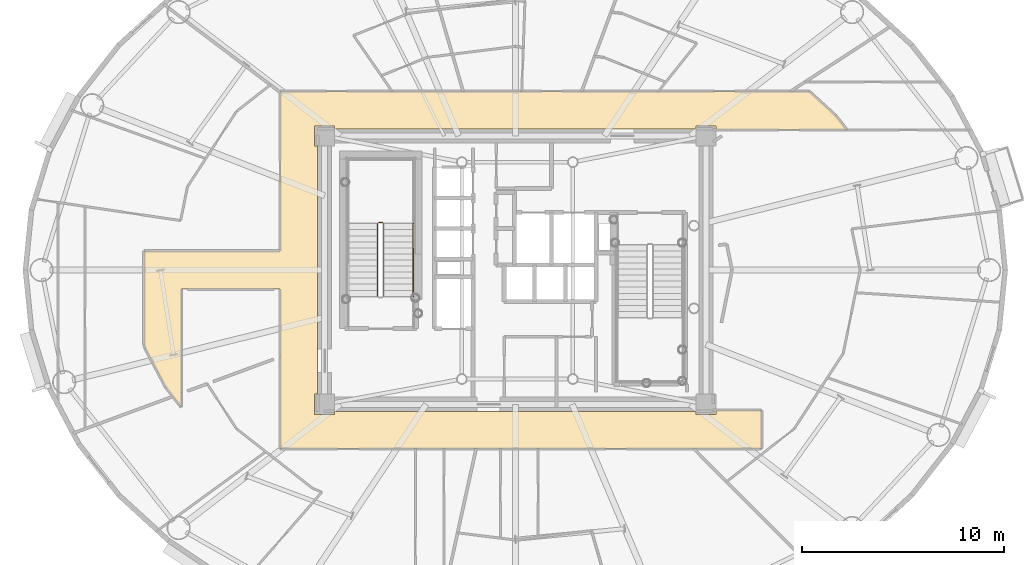
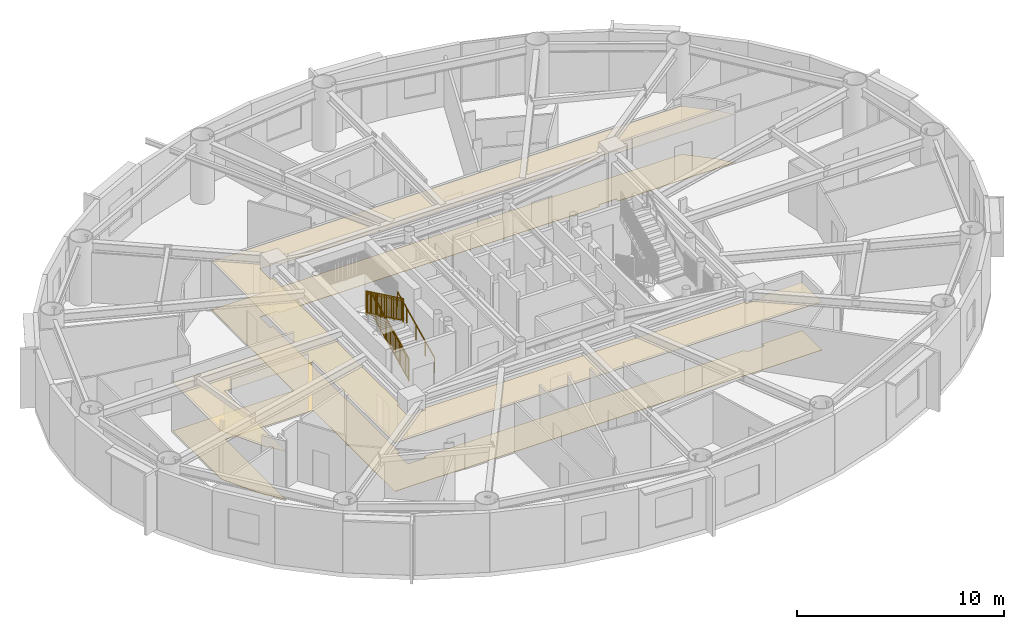
# One storey, part 17 of 22: 4 railings, 2 coverings.
"""IFC4 building model written with IfcOpenShell, lengths in metres."""

from ifc_helpers import new_model, si_unit, direction, frame, origin, origin_2d, place, context, subcontext, project, spatial, polyline, rectangle, outline, extrude, source, transform, mapped, material, layer, layer_set, type_object, element, save


model = new_model("IFC4")

# Units and contexts
model_context = context("Model", 3, precision=1e-05, world=origin(), true_north=direction((0.0, 1.0)))
body_context = subcontext(model_context, "Body", "Model", "MODEL_VIEW")
ifc_project = project(units=[si_unit("LENGTHUNIT", "METRE"), si_unit("AREAUNIT", "SQUARE_METRE"), si_unit("VOLUMEUNIT", "CUBIC_METRE"), si_unit("PLANEANGLEUNIT", "RADIAN"), si_unit("MASSUNIT", "GRAM", prefix="KILO")], contexts=[model_context])

# Site, building, storey
site_placement = place(None, origin())
site = spatial("IfcSite", under=ifc_project, at=site_placement, CompositionType="ELEMENT")
building_placement = place(site_placement, origin())
building = spatial("IfcBuilding", under=site, at=building_placement, Name="Linh Dai School and Residence Tower", CompositionType="ELEMENT")
storey_placement = place(building_placement, frame((0.0, 0.0, 214.050048828125)))
storey = spatial("IfcBuildingStorey", under=building, at=storey_placement, Name="L52", CompositionType="ELEMENT", Elevation=214.050048828125)

# Coverings
ifc_material_1 = material(Name="Mineral Fibre Acoustic Suspended Ceiling", Category="masonry")
ifc_layer_1 = layer(ifc_material_1, 0.02001953125)
ifc_layer_set_1 = layer_set([ifc_layer_1], Name="Mineral Fibre Acoustic Suspended Ceiling")
covering_type_1 = type_object("IfcCoveringType", Name="COV-CEIL-AC-20", PredefinedType="CEILING", material=ifc_layer_set_1)
covering_1_placement = place(storey_placement, frame((0.0, 0.0, 2.849853515625)))
element("IfcCovering", 1, at=covering_1_placement, inside=storey, type_object=covering_type_1, Name="L52 Residential Floor Corridor Suspended Ceiling", PredefinedType="CEILING", context=body_context, shape_type="SweptSolid", body=[
    extrude(outline(polyline([(19.449951171875, 20.211181640625), (18.6806640625, 21.1943359375), (17.66650390625, 23.111083984375), (17.60009765625, 23.327880859375), (17.60009765625, 27.949951171875), (24.35009765625, 27.949951171875), (24.35009765625, 35.85009765625), (50.56787109375, 35.85009765625), (51.873779296875, 34.65283203125), (52.423828125, 33.949951171875), (45.949951171875, 33.949951171875), (45.949951171875, 34.14990234375), (44.949951171875, 34.14990234375), (44.949951171875, 34.0), (27.050048828125, 34.0), (27.050048828125, 34.14990234375), (26.050048828125, 34.14990234375), (26.050048828125, 33.14990234375), (26.199951171875, 33.14990234375), (26.199951171875, 20.85009765625), (26.050048828125, 20.85009765625), (26.050048828125, 19.85009765625), (27.050048828125, 19.85009765625), (27.050048828125, 20.0), (44.949951171875, 20.0), (44.949951171875, 19.85009765625), (45.949951171875, 19.85009765625), (45.949951171875, 20.050048828125), (48.199951171875, 20.050048828125), (48.199951171875, 18.14990234375), (24.35009765625, 18.14990234375), (24.35009765625, 26.050048828125), (19.449951171875, 26.050048828125), (19.449951171875, 20.211181640625)])), origin(), (0.0, 0.0, 1.0), 0.02001953125),
])
ifc_material_2 = material(Name="Polished Terrazzo Floor Finish", Category="masonry")
ifc_layer_2 = layer(ifc_material_2, 0.02490234375)
ifc_layer_set_2 = layer_set([ifc_layer_2], Name="Polished Terrazzo Floor Finish")
covering_type_2 = type_object("IfcCoveringType", Name="COV-FLR-TRZ-25", PredefinedType="FLOORING", material=ifc_layer_set_2)
covering_2_placement = place(storey_placement, origin())
element("IfcCovering", 2, at=covering_2_placement, inside=storey, type_object=covering_type_2, Name="L52 Residential Floor Corridor Floor Finish", PredefinedType="FLOORING", context=body_context, shape_type="SweptSolid", body=[
    extrude(outline(polyline([(19.449951171875, 20.211181640625), (18.6806640625, 21.1943359375), (17.66650390625, 23.111083984375), (17.60009765625, 23.327880859375), (17.60009765625, 27.949951171875), (24.35009765625, 27.949951171875), (24.35009765625, 35.85009765625), (50.56787109375, 35.85009765625), (51.873779296875, 34.65283203125), (52.423828125, 33.949951171875), (45.949951171875, 33.949951171875), (45.949951171875, 34.14990234375), (44.949951171875, 34.14990234375), (44.949951171875, 34.0), (27.050048828125, 34.0), (27.050048828125, 34.14990234375), (26.050048828125, 34.14990234375), (26.050048828125, 33.14990234375), (26.199951171875, 33.14990234375), (26.199951171875, 20.85009765625), (26.050048828125, 20.85009765625), (26.050048828125, 19.85009765625), (27.050048828125, 19.85009765625), (27.050048828125, 20.0), (44.949951171875, 20.0), (44.949951171875, 19.85009765625), (45.949951171875, 19.85009765625), (45.949951171875, 20.050048828125), (48.199951171875, 20.050048828125), (48.199951171875, 18.14990234375), (24.35009765625, 18.14990234375), (24.35009765625, 26.050048828125), (19.449951171875, 26.050048828125), (19.449951171875, 20.211181640625)])), origin(), (0.0, 0.0, 1.0), 0.02001953125),
])

# Railings
ifc_material_3 = material(Name="Structural Steel S355JR", Category="steel")
railing_type_1 = type_object("IfcRailingType", Name="RL-ST-GUARD-1400", PredefinedType="GUARDRAIL", material=ifc_material_3)
shared_shape_1 = source(origin(), body_context, "Body", "SweptSolid", [
    extrude(rectangle(XDim=0.048095703125, YDim=0.048095703125, at=origin_2d()), frame((0.0, 0.0, 1.3759765625), z_axis=(-1.0, 0.0, 0.0), x_axis=(0.0, -1.0, 0.0)), (0.0, 0.0, 1.0), 0.199951171875),
    extrude(rectangle(XDim=0.048095703125, YDim=0.048095703125, at=origin_2d()), frame((0.0, 0.0, 0.10009765625), z_axis=(-1.0, 0.0, 0.0), x_axis=(0.0, -1.0, 0.0)), (0.0, 0.0, 1.0), 0.199951171875),
    extrude(rectangle(XDim=0.030029296875, YDim=0.030029296875, at=origin_2d()), frame((0.0, 0.0, 1.239990234375), z_axis=(-1.0, 0.0, 0.0), x_axis=(0.0, -1.0, 0.0)), (0.0, 0.0, 1.0), 0.199951171875),
    extrude(rectangle(XDim=0.0419921875, YDim=0.0419921875, at=origin_2d()), origin(), (0.0, 0.0, 1.0), 1.3759765625),
    extrude(rectangle(XDim=0.0419921875, YDim=0.0419921875, at=origin_2d()), frame((-0.199951171875, 0.0, 0.0)), (0.0, 0.0, 1.0), 1.3759765625),
])
railing_1_placement = place(storey_placement, frame((29.429931640625, 29.35009765625, 1.875)))
element("IfcRailing", 3, at=railing_1_placement, inside=storey, type_object=railing_type_1, Name="L52 ST1 stair guard 2", PredefinedType="GUARDRAIL", context=body_context, shape_type="MappedRepresentation", body=[
    mapped(shared_shape_1, transform((0.0, 0.0, 0.0), x_axis=(1.0, 0.0, 0.0), y_axis=(0.0, 1.0, 0.0), z_axis=(0.0, 0.0, 1.0), scale=1.0)),
])
shared_shape_2 = source(origin(), body_context, "Body", "SweptSolid", [
    extrude(rectangle(XDim=0.048095703125, YDim=0.048095703125, at=origin_2d()), frame((0.0, 0.0, 1.3759765625), z_axis=(0.0, 0.901262522062, 0.433273431364), x_axis=(-1.0, 0.0, 0.0)), (0.0, 0.0, 1.0), 3.994384765625),
    extrude(rectangle(XDim=0.048095703125, YDim=0.048095703125, at=origin_2d()), frame((0.0, 0.0, 0.10009765625), z_axis=(0.0, 0.901262522062, 0.433273431364), x_axis=(-1.0, 0.0, 0.0)), (0.0, 0.0, 1.0), 3.994384765625),
    extrude(rectangle(XDim=0.030029296875, YDim=0.030029296875, at=origin_2d()), frame((0.0, 0.0, 1.239990234375), z_axis=(0.0, 0.901262522062, 0.433273431364), x_axis=(-1.0, 0.0, 0.0)), (0.0, 0.0, 1.0), 3.994384765625),
    extrude(rectangle(XDim=0.02001953125, YDim=0.02001953125, at=origin_2d()), frame((0.0, 0.087890625, 0.142333984375)), (0.0, 0.0, 1.0), 1.251708984375),
    extrude(rectangle(XDim=0.02001953125, YDim=0.02001953125, at=origin_2d()), frame((0.0, 0.175537109375, 0.1845703125)), (0.0, 0.0, 1.0), 1.251708984375),
    extrude(rectangle(XDim=0.02001953125, YDim=0.02001953125, at=origin_2d()), frame((0.0, 0.263427734375, 0.226806640625)), (0.0, 0.0, 1.0), 1.251708984375),
    extrude(rectangle(XDim=0.02001953125, YDim=0.02001953125, at=origin_2d()), frame((0.0, 0.351318359375, 0.26904296875)), (0.0, 0.0, 1.0), 1.251708984375),
    extrude(rectangle(XDim=0.02001953125, YDim=0.02001953125, at=origin_2d()), frame((0.0, 0.43896484375, 0.311279296875)), (0.0, 0.0, 1.0), 1.251708984375),
    extrude(rectangle(XDim=0.02001953125, YDim=0.02001953125, at=origin_2d()), frame((0.0, 0.52685546875, 0.353271484375)), (0.0, 0.0, 1.0), 1.251708984375),
    extrude(rectangle(XDim=0.02001953125, YDim=0.02001953125, at=origin_2d()), frame((0.0, 0.61474609375, 0.3955078125)), (0.0, 0.0, 1.0), 1.251708984375),
    extrude(rectangle(XDim=0.02001953125, YDim=0.02001953125, at=origin_2d()), frame((0.0, 0.702392578125, 0.437744140625)), (0.0, 0.0, 1.0), 1.251708984375),
    extrude(rectangle(XDim=0.02001953125, YDim=0.02001953125, at=origin_2d()), frame((0.0, 0.790283203125, 0.47998046875)), (0.0, 0.0, 1.0), 1.251708984375),
    extrude(rectangle(XDim=0.02001953125, YDim=0.02001953125, at=origin_2d()), frame((0.0, 0.9658203125, 0.564453125)), (0.0, 0.0, 1.0), 1.251708984375),
    extrude(rectangle(XDim=0.02001953125, YDim=0.02001953125, at=origin_2d()), frame((0.0, 1.0537109375, 0.606689453125)), (0.0, 0.0, 1.0), 1.251708984375),
    extrude(rectangle(XDim=0.02001953125, YDim=0.02001953125, at=origin_2d()), frame((0.0, 1.1416015625, 0.64892578125)), (0.0, 0.0, 1.0), 1.251708984375),
    extrude(rectangle(XDim=0.02001953125, YDim=0.02001953125, at=origin_2d()), frame((0.0, 1.229248046875, 0.691162109375)), (0.0, 0.0, 1.0), 1.251708984375),
    extrude(rectangle(XDim=0.02001953125, YDim=0.02001953125, at=origin_2d()), frame((0.0, 1.317138671875, 0.7333984375)), (0.0, 0.0, 1.0), 1.251708984375),
    extrude(rectangle(XDim=0.02001953125, YDim=0.02001953125, at=origin_2d()), frame((0.0, 1.405029296875, 0.775390625)), (0.0, 0.0, 1.0), 1.251708984375),
    extrude(rectangle(XDim=0.02001953125, YDim=0.02001953125, at=origin_2d()), frame((0.0, 1.49267578125, 0.817626953125)), (0.0, 0.0, 1.0), 1.251708984375),
    extrude(rectangle(XDim=0.02001953125, YDim=0.02001953125, at=origin_2d()), frame((0.0, 1.58056640625, 0.85986328125)), (0.0, 0.0, 1.0), 1.251708984375),
    extrude(rectangle(XDim=0.02001953125, YDim=0.02001953125, at=origin_2d()), frame((0.0, 1.66845703125, 0.902099609375)), (0.0, 0.0, 1.0), 1.251708984375),
    extrude(rectangle(XDim=0.02001953125, YDim=0.02001953125, at=origin_2d()), frame((0.0, 1.756103515625, 0.9443359375)), (0.0, 0.0, 1.0), 1.251708984375),
    extrude(rectangle(XDim=0.02001953125, YDim=0.02001953125, at=origin_2d()), frame((0.0, 1.843994140625, 0.986572265625)), (0.0, 0.0, 1.0), 1.251708984375),
    extrude(rectangle(XDim=0.02001953125, YDim=0.02001953125, at=origin_2d()), frame((0.0, 1.931640625, 1.02880859375)), (0.0, 0.0, 1.0), 1.251708984375),
    extrude(rectangle(XDim=0.02001953125, YDim=0.02001953125, at=origin_2d()), frame((0.0, 2.01953125, 1.071044921875)), (0.0, 0.0, 1.0), 1.251708984375),
    extrude(rectangle(XDim=0.02001953125, YDim=0.02001953125, at=origin_2d()), frame((0.0, 2.107421875, 1.11328125)), (0.0, 0.0, 1.0), 1.251708984375),
    extrude(rectangle(XDim=0.02001953125, YDim=0.02001953125, at=origin_2d()), frame((0.0, 2.195068359375, 1.155517578125)), (0.0, 0.0, 1.0), 1.251708984375),
    extrude(rectangle(XDim=0.02001953125, YDim=0.02001953125, at=origin_2d()), frame((0.0, 2.282958984375, 1.197509765625)), (0.0, 0.0, 1.0), 1.251708984375),
    extrude(rectangle(XDim=0.02001953125, YDim=0.02001953125, at=origin_2d()), frame((0.0, 2.370849609375, 1.23974609375)), (0.0, 0.0, 1.0), 1.251708984375),
    extrude(rectangle(XDim=0.02001953125, YDim=0.02001953125, at=origin_2d()), frame((0.0, 2.45849609375, 1.281982421875)), (0.0, 0.0, 1.0), 1.251708984375),
    extrude(rectangle(XDim=0.02001953125, YDim=0.02001953125, at=origin_2d()), frame((0.0, 2.54638671875, 1.32421875)), (0.0, 0.0, 1.0), 1.251708984375),
    extrude(rectangle(XDim=0.02001953125, YDim=0.02001953125, at=origin_2d()), frame((0.0, 2.63427734375, 1.366455078125)), (0.0, 0.0, 1.0), 1.251708984375),
    extrude(rectangle(XDim=0.02001953125, YDim=0.02001953125, at=origin_2d()), frame((0.0, 2.809814453125, 1.450927734375)), (0.0, 0.0, 1.0), 1.251708984375),
    extrude(rectangle(XDim=0.02001953125, YDim=0.02001953125, at=origin_2d()), frame((0.0, 2.897705078125, 1.4931640625)), (0.0, 0.0, 1.0), 1.251708984375),
    extrude(rectangle(XDim=0.02001953125, YDim=0.02001953125, at=origin_2d()), frame((0.0, 2.9853515625, 1.535400390625)), (0.0, 0.0, 1.0), 1.251708984375),
    extrude(rectangle(XDim=0.02001953125, YDim=0.02001953125, at=origin_2d()), frame((0.0, 3.0732421875, 1.57763671875)), (0.0, 0.0, 1.0), 1.251708984375),
    extrude(rectangle(XDim=0.02001953125, YDim=0.02001953125, at=origin_2d()), frame((0.0, 3.1611328125, 1.61962890625)), (0.0, 0.0, 1.0), 1.251708984375),
    extrude(rectangle(XDim=0.02001953125, YDim=0.02001953125, at=origin_2d()), frame((0.0, 3.248779296875, 1.661865234375)), (0.0, 0.0, 1.0), 1.251708984375),
    extrude(rectangle(XDim=0.02001953125, YDim=0.02001953125, at=origin_2d()), frame((0.0, 3.336669921875, 1.7041015625)), (0.0, 0.0, 1.0), 1.251708984375),
    extrude(rectangle(XDim=0.02001953125, YDim=0.02001953125, at=origin_2d()), frame((0.0, 3.424560546875, 1.746337890625)), (0.0, 0.0, 1.0), 1.251708984375),
    extrude(rectangle(XDim=0.02001953125, YDim=0.02001953125, at=origin_2d()), frame((0.0, 3.51220703125, 1.78857421875)), (0.0, 0.0, 1.0), 1.251708984375),
    extrude(rectangle(XDim=0.0419921875, YDim=0.0419921875, at=origin_2d()), origin(), (0.0, 0.0, 1.0), 1.3759765625),
    extrude(rectangle(XDim=0.0419921875, YDim=0.0419921875, at=origin_2d()), frame((0.0, 0.89990234375, 0.4326171875)), (0.0, 0.0, 1.0), 1.3759765625),
    extrude(rectangle(XDim=0.0419921875, YDim=0.0419921875, at=origin_2d()), frame((0.0, 1.800048828125, 0.865234375)), (0.0, 0.0, 1.0), 1.3759765625),
    extrude(rectangle(XDim=0.0419921875, YDim=0.0419921875, at=origin_2d()), frame((0.0, 2.7001953125, 1.298095703125)), (0.0, 0.0, 1.0), 1.3759765625),
    extrude(rectangle(XDim=0.0419921875, YDim=0.0419921875, at=origin_2d()), frame((0.0, 3.60009765625, 1.730712890625)), (0.0, 0.0, 1.0), 1.3759765625),
])
railing_2_placement = place(storey_placement, frame((29.47998046875, 25.699951171875, 0.144287109375)))
element("IfcRailing", 4, at=railing_2_placement, inside=storey, type_object=railing_type_1, Name="L52 ST1 stair guard 1", PredefinedType="GUARDRAIL", context=body_context, shape_type="MappedRepresentation", body=[
    mapped(shared_shape_2, transform((0.0, 0.0, 0.0), x_axis=(1.0, 0.0, 0.0), y_axis=(0.0, 1.0, 0.0), z_axis=(0.0, 0.0, 1.0), scale=1.0)),
])
shared_shape_3 = source(origin(), body_context, "Body", "SweptSolid", [
    extrude(rectangle(XDim=0.048095703125, YDim=0.048095703125, at=origin_2d()), frame((0.0, 0.0, 1.3759765625), z_axis=(0.0, -0.901262522062, 0.433273431364), x_axis=(1.0, 0.0, 0.0)), (0.0, 0.0, 1.0), 3.994384765625),
    extrude(rectangle(XDim=0.048095703125, YDim=0.048095703125, at=origin_2d()), frame((0.0, 0.0, 0.10009765625), z_axis=(0.0, -0.901262522062, 0.433273431364), x_axis=(1.0, 0.0, 0.0)), (0.0, 0.0, 1.0), 3.994384765625),
    extrude(rectangle(XDim=0.030029296875, YDim=0.030029296875, at=origin_2d()), frame((0.0, 0.0, 1.239990234375), z_axis=(0.0, -0.901262522062, 0.433273431364), x_axis=(1.0, 0.0, 0.0)), (0.0, 0.0, 1.0), 3.994384765625),
    extrude(rectangle(XDim=0.02001953125, YDim=0.02001953125, at=origin_2d()), frame((0.0, -0.087890625, 0.142333984375)), (0.0, 0.0, 1.0), 1.251708984375),
    extrude(rectangle(XDim=0.02001953125, YDim=0.02001953125, at=origin_2d()), frame((0.0, -0.175537109375, 0.1845703125)), (0.0, 0.0, 1.0), 1.251708984375),
    extrude(rectangle(XDim=0.02001953125, YDim=0.02001953125, at=origin_2d()), frame((0.0, -0.263427734375, 0.226806640625)), (0.0, 0.0, 1.0), 1.251708984375),
    extrude(rectangle(XDim=0.02001953125, YDim=0.02001953125, at=origin_2d()), frame((0.0, -0.351318359375, 0.26904296875)), (0.0, 0.0, 1.0), 1.251708984375),
    extrude(rectangle(XDim=0.02001953125, YDim=0.02001953125, at=origin_2d()), frame((0.0, -0.43896484375, 0.311279296875)), (0.0, 0.0, 1.0), 1.251708984375),
    extrude(rectangle(XDim=0.02001953125, YDim=0.02001953125, at=origin_2d()), frame((0.0, -0.52685546875, 0.353271484375)), (0.0, 0.0, 1.0), 1.251708984375),
    extrude(rectangle(XDim=0.02001953125, YDim=0.02001953125, at=origin_2d()), frame((0.0, -0.61474609375, 0.3955078125)), (0.0, 0.0, 1.0), 1.251708984375),
    extrude(rectangle(XDim=0.02001953125, YDim=0.02001953125, at=origin_2d()), frame((0.0, -0.702392578125, 0.437744140625)), (0.0, 0.0, 1.0), 1.251708984375),
    extrude(rectangle(XDim=0.02001953125, YDim=0.02001953125, at=origin_2d()), frame((0.0, -0.790283203125, 0.47998046875)), (0.0, 0.0, 1.0), 1.251708984375),
    extrude(rectangle(XDim=0.02001953125, YDim=0.02001953125, at=origin_2d()), frame((0.0, -0.9658203125, 0.564453125)), (0.0, 0.0, 1.0), 1.251708984375),
    extrude(rectangle(XDim=0.02001953125, YDim=0.02001953125, at=origin_2d()), frame((0.0, -1.0537109375, 0.606689453125)), (0.0, 0.0, 1.0), 1.251708984375),
    extrude(rectangle(XDim=0.02001953125, YDim=0.02001953125, at=origin_2d()), frame((0.0, -1.1416015625, 0.64892578125)), (0.0, 0.0, 1.0), 1.251708984375),
    extrude(rectangle(XDim=0.02001953125, YDim=0.02001953125, at=origin_2d()), frame((0.0, -1.229248046875, 0.691162109375)), (0.0, 0.0, 1.0), 1.251708984375),
    extrude(rectangle(XDim=0.02001953125, YDim=0.02001953125, at=origin_2d()), frame((0.0, -1.317138671875, 0.7333984375)), (0.0, 0.0, 1.0), 1.251708984375),
    extrude(rectangle(XDim=0.02001953125, YDim=0.02001953125, at=origin_2d()), frame((0.0, -1.405029296875, 0.775390625)), (0.0, 0.0, 1.0), 1.251708984375),
    extrude(rectangle(XDim=0.02001953125, YDim=0.02001953125, at=origin_2d()), frame((0.0, -1.49267578125, 0.817626953125)), (0.0, 0.0, 1.0), 1.251708984375),
    extrude(rectangle(XDim=0.02001953125, YDim=0.02001953125, at=origin_2d()), frame((0.0, -1.58056640625, 0.85986328125)), (0.0, 0.0, 1.0), 1.251708984375),
    extrude(rectangle(XDim=0.02001953125, YDim=0.02001953125, at=origin_2d()), frame((0.0, -1.66845703125, 0.902099609375)), (0.0, 0.0, 1.0), 1.251708984375),
    extrude(rectangle(XDim=0.02001953125, YDim=0.02001953125, at=origin_2d()), frame((0.0, -1.756103515625, 0.9443359375)), (0.0, 0.0, 1.0), 1.251708984375),
    extrude(rectangle(XDim=0.02001953125, YDim=0.02001953125, at=origin_2d()), frame((0.0, -1.843994140625, 0.986572265625)), (0.0, 0.0, 1.0), 1.251708984375),
    extrude(rectangle(XDim=0.02001953125, YDim=0.02001953125, at=origin_2d()), frame((0.0, -1.931640625, 1.02880859375)), (0.0, 0.0, 1.0), 1.251708984375),
    extrude(rectangle(XDim=0.02001953125, YDim=0.02001953125, at=origin_2d()), frame((0.0, -2.01953125, 1.071044921875)), (0.0, 0.0, 1.0), 1.251708984375),
    extrude(rectangle(XDim=0.02001953125, YDim=0.02001953125, at=origin_2d()), frame((0.0, -2.107421875, 1.11328125)), (0.0, 0.0, 1.0), 1.251708984375),
    extrude(rectangle(XDim=0.02001953125, YDim=0.02001953125, at=origin_2d()), frame((0.0, -2.195068359375, 1.155517578125)), (0.0, 0.0, 1.0), 1.251708984375),
    extrude(rectangle(XDim=0.02001953125, YDim=0.02001953125, at=origin_2d()), frame((0.0, -2.282958984375, 1.197509765625)), (0.0, 0.0, 1.0), 1.251708984375),
    extrude(rectangle(XDim=0.02001953125, YDim=0.02001953125, at=origin_2d()), frame((0.0, -2.370849609375, 1.23974609375)), (0.0, 0.0, 1.0), 1.251708984375),
    extrude(rectangle(XDim=0.02001953125, YDim=0.02001953125, at=origin_2d()), frame((0.0, -2.45849609375, 1.281982421875)), (0.0, 0.0, 1.0), 1.251708984375),
    extrude(rectangle(XDim=0.02001953125, YDim=0.02001953125, at=origin_2d()), frame((0.0, -2.54638671875, 1.32421875)), (0.0, 0.0, 1.0), 1.251708984375),
    extrude(rectangle(XDim=0.02001953125, YDim=0.02001953125, at=origin_2d()), frame((0.0, -2.63427734375, 1.366455078125)), (0.0, 0.0, 1.0), 1.251708984375),
    extrude(rectangle(XDim=0.02001953125, YDim=0.02001953125, at=origin_2d()), frame((0.0, -2.809814453125, 1.450927734375)), (0.0, 0.0, 1.0), 1.251708984375),
    extrude(rectangle(XDim=0.02001953125, YDim=0.02001953125, at=origin_2d()), frame((0.0, -2.897705078125, 1.4931640625)), (0.0, 0.0, 1.0), 1.251708984375),
    extrude(rectangle(XDim=0.02001953125, YDim=0.02001953125, at=origin_2d()), frame((0.0, -2.9853515625, 1.535400390625)), (0.0, 0.0, 1.0), 1.251708984375),
    extrude(rectangle(XDim=0.02001953125, YDim=0.02001953125, at=origin_2d()), frame((0.0, -3.0732421875, 1.57763671875)), (0.0, 0.0, 1.0), 1.251708984375),
    extrude(rectangle(XDim=0.02001953125, YDim=0.02001953125, at=origin_2d()), frame((0.0, -3.1611328125, 1.61962890625)), (0.0, 0.0, 1.0), 1.251708984375),
    extrude(rectangle(XDim=0.02001953125, YDim=0.02001953125, at=origin_2d()), frame((0.0, -3.248779296875, 1.661865234375)), (0.0, 0.0, 1.0), 1.251708984375),
    extrude(rectangle(XDim=0.02001953125, YDim=0.02001953125, at=origin_2d()), frame((0.0, -3.336669921875, 1.7041015625)), (0.0, 0.0, 1.0), 1.251708984375),
    extrude(rectangle(XDim=0.02001953125, YDim=0.02001953125, at=origin_2d()), frame((0.0, -3.424560546875, 1.746337890625)), (0.0, 0.0, 1.0), 1.251708984375),
    extrude(rectangle(XDim=0.02001953125, YDim=0.02001953125, at=origin_2d()), frame((0.0, -3.51220703125, 1.78857421875)), (0.0, 0.0, 1.0), 1.251708984375),
    extrude(rectangle(XDim=0.0419921875, YDim=0.0419921875, at=origin_2d()), origin(), (0.0, 0.0, 1.0), 1.3759765625),
    extrude(rectangle(XDim=0.0419921875, YDim=0.0419921875, at=origin_2d()), frame((0.0, -0.89990234375, 0.4326171875)), (0.0, 0.0, 1.0), 1.3759765625),
    extrude(rectangle(XDim=0.0419921875, YDim=0.0419921875, at=origin_2d()), frame((0.0, -1.800048828125, 0.865234375)), (0.0, 0.0, 1.0), 1.3759765625),
    extrude(rectangle(XDim=0.0419921875, YDim=0.0419921875, at=origin_2d()), frame((0.0, -2.7001953125, 1.298095703125)), (0.0, 0.0, 1.0), 1.3759765625),
    extrude(rectangle(XDim=0.0419921875, YDim=0.0419921875, at=origin_2d()), frame((0.0, -3.60009765625, 1.730712890625)), (0.0, 0.0, 1.0), 1.3759765625),
])
railing_3_placement = place(storey_placement, frame((29.179931640625, 29.300048828125, 2.019287109375)))
element("IfcRailing", 5, at=railing_3_placement, inside=storey, type_object=railing_type_1, Name="L52 ST1 stair guard 6", PredefinedType="GUARDRAIL", context=body_context, shape_type="MappedRepresentation", body=[
    mapped(shared_shape_3, transform((0.0, 0.0, 0.0), x_axis=(1.0, 0.0, 0.0), y_axis=(0.0, 1.0, 0.0), z_axis=(0.0, 0.0, 1.0), scale=1.0)),
])
ifc_material_4 = material(Name="Brushed Stainless Steel Handrail", Category="steel")
railing_type_2 = type_object("IfcRailingType", Name="RL-ST-HANDRAIL-900", PredefinedType="HANDRAIL", material=ifc_material_4)
shared_shape_4 = source(origin(), body_context, "Body", "SweptSolid", [
    extrude(rectangle(XDim=0.048095703125, YDim=0.048095703125, at=origin_2d()), frame((0.0, 0.0, 0.8759765625), z_axis=(0.0, 0.901262522062, 0.433273431364), x_axis=(-1.0, 0.0, 0.0)), (0.0, 0.0, 1.0), 3.994384765625),
    extrude(rectangle(XDim=0.0419921875, YDim=0.0419921875, at=origin_2d()), origin(), (0.0, 0.0, 1.0), 0.8759765625),
    extrude(rectangle(XDim=0.0419921875, YDim=0.0419921875, at=origin_2d()), frame((0.0, 0.89990234375, 0.4326171875)), (0.0, 0.0, 1.0), 0.8759765625),
    extrude(rectangle(XDim=0.0419921875, YDim=0.0419921875, at=origin_2d()), frame((0.0, 1.800048828125, 0.865234375)), (0.0, 0.0, 1.0), 0.8759765625),
    extrude(rectangle(XDim=0.0419921875, YDim=0.0419921875, at=origin_2d()), frame((0.0, 2.7001953125, 1.298095703125)), (0.0, 0.0, 1.0), 0.8759765625),
    extrude(rectangle(XDim=0.0419921875, YDim=0.0419921875, at=origin_2d()), frame((0.0, 3.60009765625, 1.730712890625)), (0.0, 0.0, 1.0), 0.8759765625),
])
railing_4_placement = place(storey_placement, frame((30.929931640625, 25.699951171875, 0.144287109375)))
element("IfcRailing", 6, at=railing_4_placement, inside=storey, type_object=railing_type_2, Name="L52 ST1 stair handrail 1", PredefinedType="HANDRAIL", context=body_context, shape_type="MappedRepresentation", body=[
    mapped(shared_shape_4, transform((0.0, 0.0, 0.0), x_axis=(1.0, 0.0, 0.0), y_axis=(0.0, 1.0, 0.0), z_axis=(0.0, 0.0, 1.0), scale=1.0)),
])

save(model, "model.ifc")
